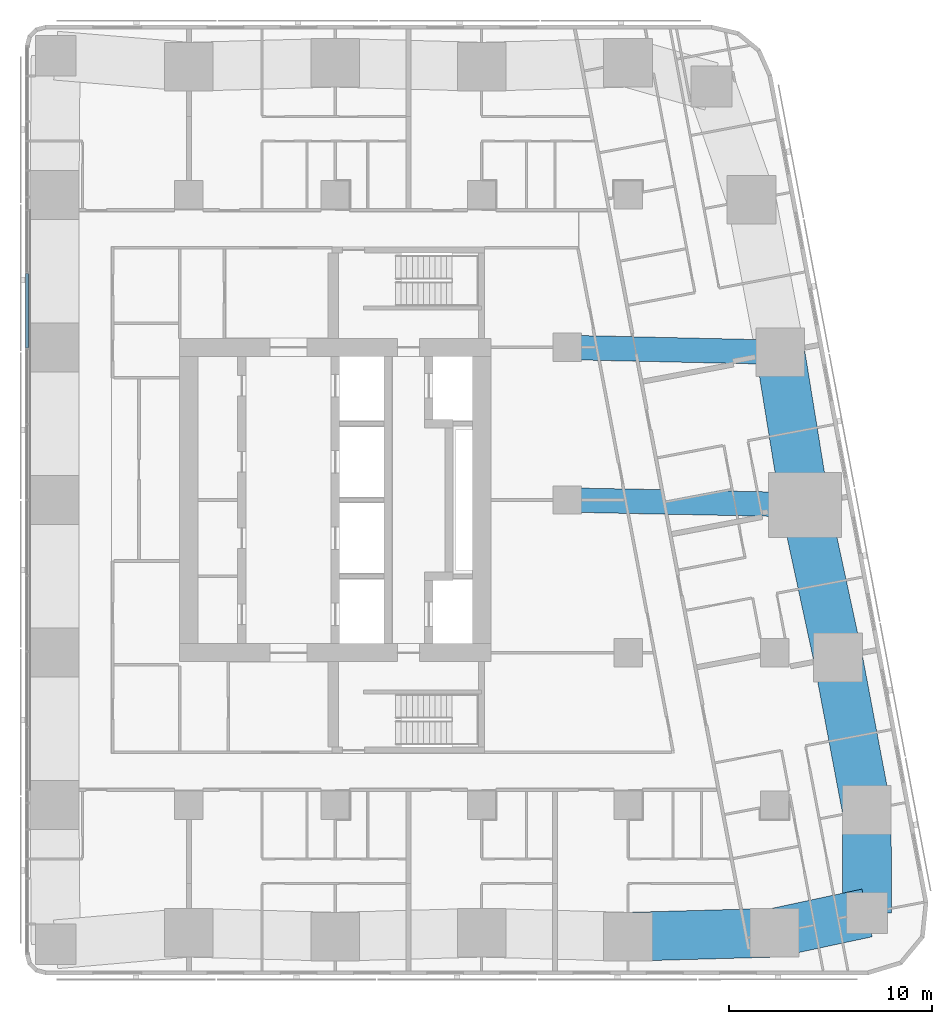
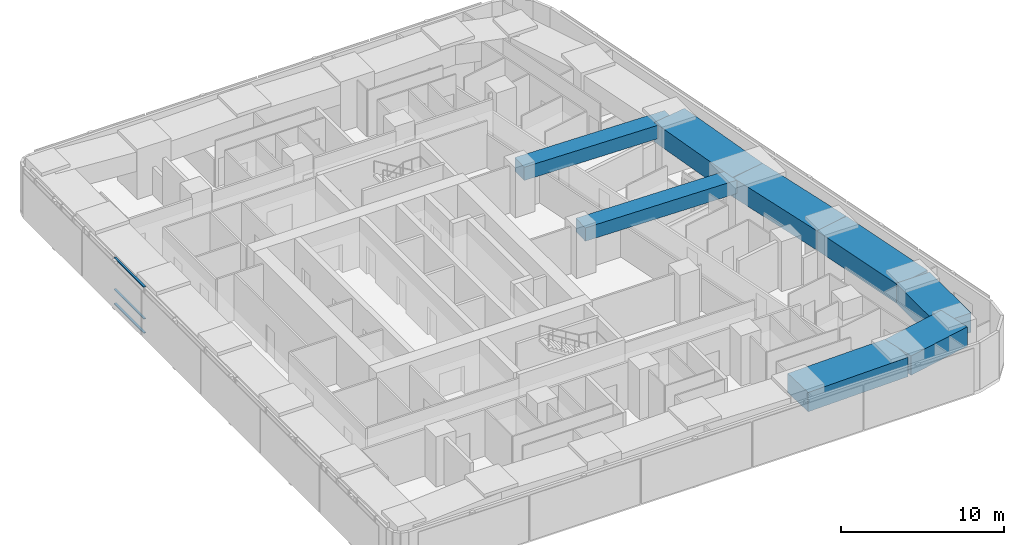
# One storey, part 4 of 19: 8 beams, 3 members, 1 element without a shape of its own.
"""IFC4 building model written with IfcOpenShell, lengths in metres."""

from ifc_helpers import new_model, si_unit, direction, frame, origin, origin_2d, place, context, subcontext, project, spatial, rectangle, extrude, material, material_profile, profile_set, type_object, element, aggregate, save


model = new_model("IFC4")

# Units and contexts
model_context = context("Model", 3, precision=1e-05, world=origin(), true_north=direction((0.0, 1.0)))
body_context = subcontext(model_context, "Body", "Model", "MODEL_VIEW")
ifc_project = project(units=[si_unit("LENGTHUNIT", "METRE"), si_unit("AREAUNIT", "SQUARE_METRE"), si_unit("VOLUMEUNIT", "CUBIC_METRE"), si_unit("PLANEANGLEUNIT", "RADIAN"), si_unit("MASSUNIT", "GRAM", prefix="KILO")], contexts=[model_context])

# Site, building, storey
site_placement = place(None, origin())
site = spatial("IfcSite", under=ifc_project, at=site_placement, CompositionType="ELEMENT")
building_placement = place(site_placement, origin())
building = spatial("IfcBuilding", under=site, at=building_placement, Name="Sheger Commons Tower", CompositionType="ELEMENT")
storey_placement = place(building_placement, frame((0.0, 0.0, 219.949951171875)))
storey = spatial("IfcBuildingStorey", under=building, at=storey_placement, Name="L56", CompositionType="ELEMENT", Elevation=219.949951171875)

# Beams
ifc_material_1 = material(Name="Concrete C50/60", Category="concrete")
ifc_material_profile_1 = material_profile(ifc_material_1, rectangle(XDim=1.199951171875, YDim=1.0, at=origin_2d()), Name="RC 1200x1000")
ifc_profile_set_1 = profile_set([ifc_material_profile_1], Name="Concrete C50/60")
beam_type_1 = type_object("IfcBeamType", Name="BEAM RC 1200x1000", PredefinedType="BEAM", material=ifc_profile_set_1)
beam_1_placement = place(storey_placement, frame((33.0, 22.5, 3.0), z_axis=(0.999794692776, -0.02026258368, 0.0), x_axis=(0.02026258368, 0.999794692776, 0.0)))
element("IfcBeam", 1, at=beam_1_placement, inside=storey, type_object=beam_type_1, Name="Beam 6-3000/D-7/D under L57", PredefinedType="BEAM", context=body_context, shape_type="SweptSolid", body=[
    extrude(rectangle(XDim=1.199951171875, YDim=1.0, at=origin_2d()), origin(), (0.0, 0.0, 1.0), 11.699462890625),
])
beam_2_placement = place(storey_placement, frame((33.0, 30.0, 3.0), z_axis=(0.999744258625, -0.022614538395, 0.0), x_axis=(0.022614538395, 0.999744258625, 0.0)))
element("IfcBeam", 2, at=beam_2_placement, inside=storey, type_object=beam_type_1, Name="Beam 6-3000/E-E/E under L57", PredefinedType="BEAM", context=body_context, shape_type="SweptSolid", body=[
    extrude(rectangle(XDim=1.199951171875, YDim=1.0, at=origin_2d()), origin(), (0.0, 0.0, 1.0), 10.482666015625),
])
ifc_material_2 = material(Name="Concrete C50/60", Category="concrete")
ifc_material_profile_2 = material_profile(ifc_material_2, rectangle(XDim=2.39990234375, YDim=1.449951171875, at=origin_2d()), Name="RC 2400x1450")
ifc_profile_set_2 = profile_set([ifc_material_profile_2], Name="Concrete C50/60")
beam_type_2 = type_object("IfcBeamType", Name="SPANDREL RC 2400x1450", PredefinedType="SPANDREL", material=ifc_profile_set_2)
beam_3_placement = place(storey_placement, frame((36.0, 1.02490234375, 2.775146484375), z_axis=(0.9996136624, 0.027794350926, 0.0), x_axis=(-0.027794350926, 0.9996136624, 0.0)))
element("IfcBeam", 3, at=beam_3_placement, inside=storey, type_object=beam_type_2, Name="Beam 6/A-7/A under L57", PredefinedType="SPANDREL", context=body_context, shape_type="SweptSolid", body=[
    extrude(rectangle(XDim=2.39990234375, YDim=1.449951171875, at=origin_2d()), origin(), (0.0, 0.0, 1.0), 7.20263671875),
])
beam_4_placement = place(storey_placement, frame((43.199951171875, 1.22509765625, 2.775146484375), z_axis=(0.977919796671, 0.208980552394, 0.0), x_axis=(-0.208980552394, 0.977919796671, 0.0)))
element("IfcBeam", 4, at=beam_4_placement, inside=storey, type_object=beam_type_2, Name="Beam 7/A-49.461,0.778 under L57", PredefinedType="SPANDREL", context=body_context, shape_type="SweptSolid", body=[
    extrude(rectangle(XDim=2.39990234375, YDim=1.449951171875, at=origin_2d()), origin(), (0.0, 0.0, 1.0), 4.65087890625),
])
beam_5_placement = place(storey_placement, frame((47.748046875, 2.197021484375, 2.775146484375), z_axis=(-0.003566242382, 0.999993640937, 0.0), x_axis=(-0.999993640937, -0.003566242382, 0.0)))
element("IfcBeam", 5, at=beam_5_placement, inside=storey, type_object=beam_type_2, Name="Beam 49.461,0.778-E/B under L57", PredefinedType="SPANDREL", context=body_context, shape_type="SweptSolid", body=[
    extrude(rectangle(XDim=2.39990234375, YDim=1.449951171875, at=origin_2d()), origin(), (0.0, 0.0, 1.0), 5.06591796875),
])
beam_6_placement = place(storey_placement, frame((47.72998046875, 7.262939453125, 2.775146484375), z_axis=(-0.18552441405, 0.982639655108, 0.0), x_axis=(-0.982639655108, -0.18552441405, 0.0)))
element("IfcBeam", 6, at=beam_6_placement, inside=storey, type_object=beam_type_2, Name="Beam E/B-E/C under L57", PredefinedType="SPANDREL", context=body_context, shape_type="SweptSolid", body=[
    extrude(rectangle(XDim=2.39990234375, YDim=1.449951171875, at=origin_2d()), origin(), (0.0, 0.0, 1.0), 7.632568359375),
])
beam_7_placement = place(storey_placement, frame((46.31396484375, 14.762939453125, 2.775146484375), z_axis=(-0.210750229323, 0.977539943348, 0.0), x_axis=(-0.977539943348, -0.210750229323, 0.0)))
element("IfcBeam", 7, at=beam_7_placement, inside=storey, type_object=beam_type_2, Name="Beam E/C-E/D under L57", PredefinedType="SPANDREL", context=body_context, shape_type="SweptSolid", body=[
    extrude(rectangle(XDim=2.39990234375, YDim=1.449951171875, at=origin_2d()), origin(), (0.0, 0.0, 1.0), 7.67236328125),
])
beam_8_placement = place(storey_placement, frame((44.697021484375, 22.262939453125, 2.775146484375), z_axis=(-0.160176929512, 0.987088319884, 0.0), x_axis=(-0.987088319884, -0.160176929512, 0.0)))
element("IfcBeam", 8, at=beam_8_placement, inside=storey, type_object=beam_type_2, Name="Beam E/D-E/E under L57", PredefinedType="SPANDREL", context=body_context, shape_type="SweptSolid", body=[
    extrude(rectangle(XDim=2.39990234375, YDim=1.449951171875, at=origin_2d()), origin(), (0.0, 0.0, 1.0), 7.59814453125),
])

# Curtain wall, members
ifc_material_3 = material(Name="Black aluminium curtain wall, dark tinted glazing", Category="aluminium")
curtain_wall_type = type_object("IfcCurtainWallType", Name="CURTAIN WALL CW4 GALLERY", PredefinedType="USERDEFINED", material=ifc_material_3)
curtain_wall_placement = place(storey_placement, origin())
curtain_wall = element("IfcCurtainWall", 9, at=curtain_wall_placement, inside=storey, type_object=curtain_wall_type, Name="Curtain Wall Cw4 Gallery W1 L56", ObjectType="UNITISED CURTAIN WALL", PredefinedType="USERDEFINED")
ifc_material_4 = material(Name="Black anodised aluminium", Category="aluminium")
ifc_material_profile_3 = material_profile(ifc_material_4, rectangle(XDim=0.14990234375, YDim=0.06494140625, at=origin_2d()), Name="AL 65x150")
ifc_profile_set_3 = profile_set([ifc_material_profile_3], Name="Black anodised aluminium")
member_type = type_object("IfcMemberType", Name="TRANSOM AL 65x150", PredefinedType="USERDEFINED", material=ifc_profile_set_3)
member_1_placement = place(storey_placement, frame((6.449951171875, 33.635498046875, 0.032470703125), z_axis=(0.0, -1.0, 0.0), x_axis=(1.0, 0.0, 0.0)))
member_1 = element("IfcMember", 10, at=member_1_placement, type_object=member_type, Name="CW4 transom 8.1", ObjectType="TRANSOM", PredefinedType="USERDEFINED", context=body_context, shape_type="SweptSolid", body=[
    extrude(rectangle(XDim=0.14990234375, YDim=0.06494140625, at=origin_2d()), origin(), (0.0, 0.0, 1.0), 3.656982421875),
])
member_2_placement = place(storey_placement, frame((6.449951171875, 33.635498046875, 1.10009765625), z_axis=(0.0, -1.0, 0.0), x_axis=(1.0, 0.0, 0.0)))
member_2 = element("IfcMember", 11, at=member_2_placement, type_object=member_type, Name="CW4 transom 8.2", ObjectType="TRANSOM", PredefinedType="USERDEFINED", context=body_context, shape_type="SweptSolid", body=[
    extrude(rectangle(XDim=0.14990234375, YDim=0.06494140625, at=origin_2d()), origin(), (0.0, 0.0, 1.0), 3.656982421875),
])
member_3_placement = place(storey_placement, frame((6.449951171875, 33.635498046875, 3.467529296875), z_axis=(0.0, -1.0, 0.0), x_axis=(1.0, 0.0, 0.0)))
member_3 = element("IfcMember", 12, at=member_3_placement, type_object=member_type, Name="CW4 transom 8.3", ObjectType="TRANSOM", PredefinedType="USERDEFINED", context=body_context, shape_type="SweptSolid", body=[
    extrude(rectangle(XDim=0.14990234375, YDim=0.06494140625, at=origin_2d()), origin(), (0.0, 0.0, 1.0), 3.656982421875),
])
aggregate(curtain_wall, [member_1, member_2, member_3])

save(model, "model.ifc")
